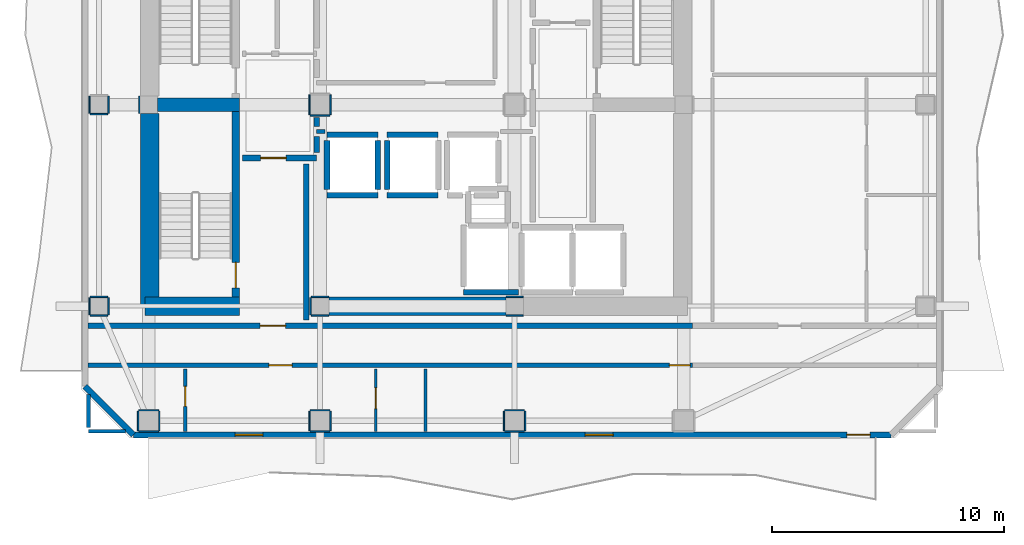
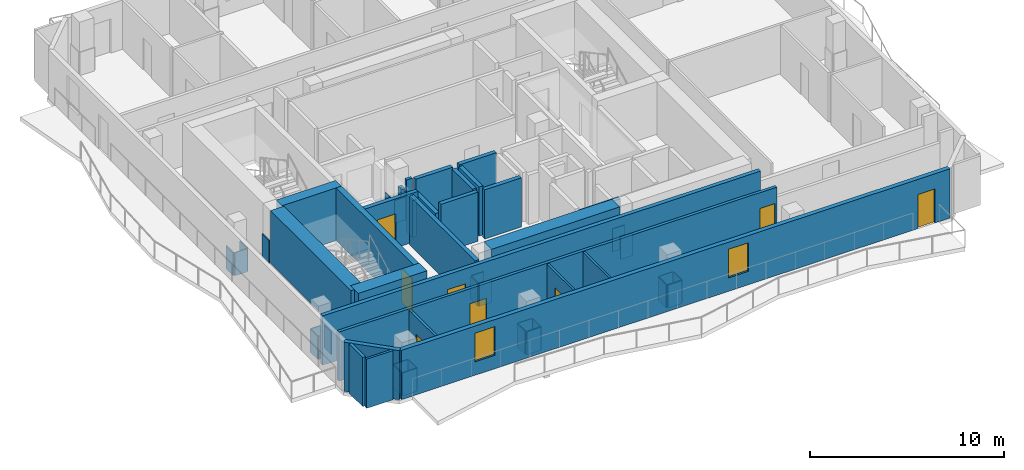
# One storey, part 2 of 9: 55 walls, 8 doors, 2 windows, 10 openings.
"""IFC4 building model written with IfcOpenShell, lengths in metres."""

from ifc_helpers import new_model, si_unit, direction, frame, frame_2d, origin, place, context, subcontext, project, spatial, rectangle, extrude, material, layer, layer_set, type_object, element, fill, save


model = new_model("IFC4")

# Units and contexts
model_context = context("Model", 3, precision=1e-05, world=origin(), true_north=direction((0.0, 1.0)))
body_context = subcontext(model_context, "Body", "Model", "MODEL_VIEW")
ifc_project = project(units=[si_unit("LENGTHUNIT", "METRE"), si_unit("AREAUNIT", "SQUARE_METRE"), si_unit("VOLUMEUNIT", "CUBIC_METRE"), si_unit("PLANEANGLEUNIT", "RADIAN"), si_unit("MASSUNIT", "GRAM", prefix="KILO")], contexts=[model_context])

# Site, building, storey
site_placement = place(None, origin())
site = spatial("IfcSite", under=ifc_project, at=site_placement, CompositionType="ELEMENT")
building_placement = place(site_placement, origin())
building = spatial("IfcBuilding", under=site, at=building_placement, Name="Solanera Arch Residences", CompositionType="ELEMENT")
storey_placement = place(building_placement, frame((0.0, 0.0, 244.56005859375)))
storey = spatial("IfcBuildingStorey", under=building, at=storey_placement, Name="L71", CompositionType="ELEMENT", Elevation=244.56005859375)

# Walls
ifc_material_1 = material(Name="Fire-Rated Gypsum Stud Partition", Category="gypsum")
ifc_layer_1 = layer(ifc_material_1, 0.06005859375)
ifc_layer_set_1 = layer_set([ifc_layer_1], Name="Fire-Rated Gypsum Stud Partition")
wall_type_1 = type_object("IfcWallType", Name="Column Acoustic Furring Wall 60", PredefinedType="PARTITIONING", material=ifc_layer_set_1)
for number, where, z_axis, x_axis, name in (
    (1, (20.425048828125, 21.593017578125, 0.0), (0.0, 0.0, 1.0), (1.0, 0.0, 0.0), "L71 Column Furring 1S"),
    (2, (20.425048828125, 22.406982421875, 0.0), (0.0, 0.0, 1.0), (1.0, 0.0, 0.0), "L71 Column Furring 1N"),
):
    element("IfcWall", number, at=place(storey_placement, frame(where, z_axis=z_axis, x_axis=x_axis)), inside=storey, type_object=wall_type_1, Name=name, PredefinedType="PARTITIONING", context=body_context, shape_type="SweptSolid", body=[
        extrude(rectangle(XDim=0.741943359375, YDim=0.06005859375, at=frame_2d((0.37109375, 0.0))), origin(), (0.0, 0.0, 1.0), 1.449951171875),
    ])
wall_1_placement = place(storey_placement, frame((20.39306640625, 21.625, 0.0), z_axis=(0.0, 0.0, 1.0), x_axis=(0.0, 1.0, 0.0)))
element("IfcWall", 3, at=wall_1_placement, inside=storey, type_object=wall_type_1, Name="L71 Column Furring 1W", PredefinedType="PARTITIONING", context=body_context, shape_type="SweptSolid", body=[
    extrude(rectangle(XDim=0.75, YDim=0.06005859375, at=frame_2d((0.375, 0.0))), origin(), (0.0, 0.0, 1.0), 1.449951171875),
])
for number, where, z_axis, x_axis, name in (
    (4, (28.8330078125, 21.593017578125, 0.0), (0.0, 0.0, 1.0), (1.0, 0.0, 0.0), "L71 Column Furring 2S"),
    (5, (28.8330078125, 22.406982421875, 0.0), (0.0, 0.0, 1.0), (1.0, 0.0, 0.0), "L71 Column Furring 2N"),
):
    element("IfcWall", number, at=place(storey_placement, frame(where, z_axis=z_axis, x_axis=x_axis)), inside=storey, type_object=wall_type_1, Name=name, PredefinedType="PARTITIONING", context=body_context, shape_type="SweptSolid", body=[
        extrude(rectangle(XDim=0.73388671875, YDim=0.06005859375, at=frame_2d((0.366943359375, 0.0))), origin(), (0.0, 0.0, 1.0), 1.449951171875),
    ])
wall_2_placement = place(storey_placement, frame((12.992919921875, 30.324951171875, 0.0), z_axis=(0.0, 0.0, 1.0), x_axis=(0.0, 1.0, 0.0)))
element("IfcWall", 6, at=wall_2_placement, inside=storey, type_object=wall_type_1, Name="L71 Column Furring 5W", PredefinedType="PARTITIONING", context=body_context, shape_type="SweptSolid", body=[
    extrude(rectangle(XDim=0.75, YDim=0.06005859375, at=frame_2d((0.375, 0.0))), origin(), (0.0, 0.0, 1.0), 1.449951171875),
])
for number, where, z_axis, x_axis, name in (
    (7, (20.375, 30.242919921875, 0.0), (0.0, 0.0, 1.0), (1.0, 0.0, 0.0), "L71 Column Furring 7S"),
    (8, (20.343017578125, 30.27490234375, 0.0), (0.0, 0.0, 1.0), (0.0, 1.0, 0.0), "L71 Column Furring 7W"),
    (9, (21.257080078125, 30.27490234375, 0.0), (0.0, 0.0, 1.0), (0.0, 1.0, 0.0), "L71 Column Furring 7E"),
):
    element("IfcWall", number, at=place(storey_placement, frame(where, z_axis=z_axis, x_axis=x_axis)), inside=storey, type_object=wall_type_1, Name=name, PredefinedType="PARTITIONING", context=body_context, shape_type="SweptSolid", body=[
        extrude(rectangle(XDim=0.85009765625, YDim=0.06005859375, at=frame_2d((0.425048828125, 0.0))), origin(), (0.0, 0.0, 1.0), 1.449951171875),
    ])
for number, where, z_axis, x_axis, name in (
    (10, (12.97509765625, 16.593017578125, 0.0), (0.0, 0.0, 1.0), (1.0, 0.0, 0.0), "L71 Column Furring 9S"),
    (11, (12.97509765625, 17.507080078125, 0.0), (0.0, 0.0, 1.0), (1.0, 0.0, 0.0), "L71 Column Furring 9N"),
):
    element("IfcWall", number, at=place(storey_placement, frame(where, z_axis=z_axis, x_axis=x_axis)), inside=storey, type_object=wall_type_1, Name=name, PredefinedType="PARTITIONING", context=body_context, shape_type="SweptSolid", body=[
        extrude(rectangle(XDim=0.849853515625, YDim=0.06005859375, at=frame_2d((0.4248046875, 0.0))), origin(), (0.0, 0.0, 1.0), 1.449951171875),
    ])
for number, where, z_axis, x_axis, name in (
    (12, (12.943115234375, 16.625, 0.0), (0.0, 0.0, 1.0), (0.0, 1.0, 0.0), "L71 Column Furring 9W"),
    (13, (13.85693359375, 16.625, 0.0), (0.0, 0.0, 1.0), (0.0, 1.0, 0.0), "L71 Column Furring 9E"),
    (14, (20.375, 16.593017578125, 0.0), (0.0, 0.0, 1.0), (1.0, 0.0, 0.0), "L71 Column Furring 11S"),
    (15, (20.375, 17.507080078125, 0.0), (0.0, 0.0, 1.0), (1.0, 0.0, 0.0), "L71 Column Furring 11N"),
    (16, (20.343017578125, 16.625, 0.0), (0.0, 0.0, 1.0), (0.0, 1.0, 0.0), "L71 Column Furring 11W"),
    (17, (21.257080078125, 16.625, 0.0), (0.0, 0.0, 1.0), (0.0, 1.0, 0.0), "L71 Column Furring 11E"),
    (18, (28.77490234375, 16.593017578125, 0.0), (0.0, 0.0, 1.0), (1.0, 0.0, 0.0), "L71 Column Furring 13S"),
    (19, (28.77490234375, 17.507080078125, 0.0), (0.0, 0.0, 1.0), (1.0, 0.0, 0.0), "L71 Column Furring 13N"),
    (20, (28.742919921875, 16.625, 0.0), (0.0, 0.0, 1.0), (0.0, 1.0, 0.0), "L71 Column Furring 13W"),
    (21, (29.656982421875, 16.625, 0.0), (0.0, 0.0, 1.0), (0.0, 1.0, 0.0), "L71 Column Furring 13E"),
):
    element("IfcWall", number, at=place(storey_placement, frame(where, z_axis=z_axis, x_axis=x_axis)), inside=storey, type_object=wall_type_1, Name=name, PredefinedType="PARTITIONING", context=body_context, shape_type="SweptSolid", body=[
        extrude(rectangle(XDim=0.85009765625, YDim=0.06005859375, at=frame_2d((0.425048828125, 0.0))), origin(), (0.0, 0.0, 1.0), 1.449951171875),
    ])
for number, where, z_axis, x_axis, name in (
    (22, (10.875, 21.593017578125, 0.0), (0.0, 0.0, 1.0), (1.0, 0.0, 0.0), "L71 Column Furring 17S"),
    (23, (10.875, 22.406982421875, 0.0), (0.0, 0.0, 1.0), (1.0, 0.0, 0.0), "L71 Column Furring 17N"),
    (24, (10.843017578125, 21.625, 0.0), (0.0, 0.0, 1.0), (0.0, 1.0, 0.0), "L71 Column Furring 17W"),
    (25, (11.656982421875, 21.625, 0.0), (0.0, 0.0, 1.0), (0.0, 1.0, 0.0), "L71 Column Furring 17E"),
    (26, (10.875, 30.29296875, 0.0), (0.0, 0.0, 1.0), (1.0, 0.0, 0.0), "L71 Column Furring 19S"),
    (27, (10.843017578125, 30.324951171875, 0.0), (0.0, 0.0, 1.0), (0.0, 1.0, 0.0), "L71 Column Furring 19W"),
    (28, (11.656982421875, 30.324951171875, 0.0), (0.0, 0.0, 1.0), (0.0, 1.0, 0.0), "L71 Column Furring 19E"),
):
    element("IfcWall", number, at=place(storey_placement, frame(where, z_axis=z_axis, x_axis=x_axis)), inside=storey, type_object=wall_type_1, Name=name, PredefinedType="PARTITIONING", context=body_context, shape_type="SweptSolid", body=[
        extrude(rectangle(XDim=0.75, YDim=0.06005859375, at=frame_2d((0.375, 0.0))), origin(), (0.0, 0.0, 1.0), 1.449951171875),
    ])

# Wall, opening, door
ifc_material_2 = material(Name="Concrete C40/50 (f'c = 45 MPa)", Category="concrete")
ifc_layer_2 = layer(ifc_material_2, 0.320068359375)
ifc_layer_set_2 = layer_set([ifc_layer_2], Name="Concrete C40/50 (f'c = 45 MPa)")
wall_type_2 = type_object("IfcWallType", Name="Core Shear Wall CW-320", PredefinedType="SHEAR", material=ifc_layer_set_2)
wall_3_placement = place(storey_placement, frame((17.159912109375, 22.39990234375, 0.0), z_axis=(0.0, 0.0, 1.0), x_axis=(0.0, 1.0, 0.0)))
wall_3 = element("IfcWall", 29, at=wall_3_placement, inside=storey, type_object=wall_type_2, Name="L71 Stair ST-T3 East Shear Wall", PredefinedType="SHEAR", context=body_context, shape_type="SweptSolid", body=[
    extrude(rectangle(XDim=8.0, YDim=0.320068359375, at=frame_2d((4.0, 0.0))), origin(), (0.0, 0.0, 1.0), 3.31982421875),
])
opening_1_placement = place(wall_3_placement, frame((0.389892578125, 0.0, 0.0)))
opening_1 = element("IfcOpeningElement", 30, at=opening_1_placement, cuts=wall_3, Name="Opening DF-01", PredefinedType="OPENING", context=body_context, shape_type="SweptSolid", body=[
    extrude(rectangle(XDim=1.10009765625, YDim=2.14990234375, at=frame_2d((0.550048828125, 1.074951171875))), frame((0.0, 0.169921875, 0.0), z_axis=(0.0, -1.0, 0.0), x_axis=(1.0, 0.0, 0.0)), (0.0, 0.0, 1.0), 0.3401),
])
ifc_material_3 = material(Name="Fire-Rated Architectural Hardwood", Category="wood")
door_type_1 = type_object("IfcDoorType", Name="Stair Exit Fire Door DF-01", OperationType="NOTDEFINED", PredefinedType="DOOR", material=ifc_material_3)
door_1_placement = place(opening_1_placement, origin())
door_1 = element("IfcDoor", 31, at=door_1_placement, inside=storey, type_object=door_type_1, Name="DR-L71-STAIR-ST-T3", OperationType="SINGLE_SWING_LEFT", OverallHeight=2.14990234375, OverallWidth=1.10009765625, PredefinedType="DOOR", context=body_context, shape_type="SweptSolid", body=[
    extrude(rectangle(XDim=1.10009765625, YDim=2.14990234375, at=frame_2d((0.550048828125, 1.074951171875))), frame((0.0, 0.02490234375, 0.0), z_axis=(0.0, -1.0, 0.0), x_axis=(1.0, 0.0, 0.0)), (0.0, 0.0, 1.0), 0.050048828125),
])
fill(opening_1, door_1)

# Walls
ifc_material_4 = material(Name="Concrete C40/50 (f'c = 45 MPa)", Category="concrete")
ifc_layer_3 = layer(ifc_material_4, 0.60009765625)
ifc_layer_set_3 = layer_set([ifc_layer_3], Name="Concrete C40/50 (f'c = 45 MPa)")
wall_type_3 = type_object("IfcWallType", Name="Core Shear Wall CW-600", PredefinedType="SHEAR", material=ifc_layer_set_3)
wall_4_placement = place(storey_placement, frame((13.780029296875, 30.699951171875, 0.0), z_axis=(0.0, 0.0, 1.0), x_axis=(1.0, 0.0, 0.0)))
element("IfcWall", 32, at=wall_4_placement, inside=storey, type_object=wall_type_3, Name="L71 West Stair Divider Shear Wall", PredefinedType="SHEAR", context=body_context, shape_type="SweptSolid", body=[
    extrude(rectangle(XDim=3.5400390625, YDim=0.60009765625, at=frame_2d((1.77001953125, 0.0))), origin(), (0.0, 0.0, 1.0), 3.31982421875),
])
ifc_material_5 = material(Name="Concrete C40/50 (f'c = 45 MPa)", Category="concrete")
ifc_layer_4 = layer(ifc_material_5, 0.800048828125)
ifc_layer_set_4 = layer_set([ifc_layer_4], Name="Concrete C40/50 (f'c = 45 MPa)")
wall_type_4 = type_object("IfcWallType", Name="Core Shear Wall CW-800", PredefinedType="SHEAR", material=ifc_layer_set_4)
wall_5_placement = place(storey_placement, frame((13.43994140625, 22.0, 0.0), z_axis=(0.0, 0.0, 1.0), x_axis=(0.0, 1.0, 0.0)))
element("IfcWall", 33, at=wall_5_placement, inside=storey, type_object=wall_type_4, Name="L71 West Core South Shear Wall", PredefinedType="SHEAR", context=body_context, shape_type="SweptSolid", body=[
    extrude(rectangle(XDim=8.320068359375, YDim=0.800048828125, at=frame_2d((4.16015625, 0.0))), origin(), (0.0, 0.0, 1.0), 3.31982421875),
])
wall_6_placement = place(storey_placement, frame((13.239990234375, 22.0, 0.0), z_axis=(0.0, 0.0, 1.0), x_axis=(1.0, 0.0, 0.0)))
element("IfcWall", 34, at=wall_6_placement, inside=storey, type_object=wall_type_4, Name="L71 South-West Core Shear Wall", PredefinedType="SHEAR", context=body_context, shape_type="SweptSolid", body=[
    extrude(rectangle(XDim=4.080078125, YDim=0.800048828125, at=frame_2d((2.0400390625, 0.0))), origin(), (0.0, 0.0, 1.0), 3.31982421875),
])
wall_7_placement = place(storey_placement, frame((21.179931640625, 22.0, 0.0), z_axis=(0.0, 0.0, 1.0), x_axis=(1.0, 0.0, 0.0)))
element("IfcWall", 35, at=wall_7_placement, inside=storey, type_object=wall_type_4, Name="L71 Central South Core Shear Wall", PredefinedType="SHEAR", context=body_context, shape_type="SweptSolid", body=[
    extrude(rectangle(XDim=7.64013671875, YDim=0.800048828125, at=frame_2d((3.820068359375, 0.0))), origin(), (0.0, 0.0, 1.0), 3.31982421875),
])

# Wall, openings, doors
ifc_material_6 = material(Name="Autoclaved Aerated Concrete Blockwork", Category="masonry")
ifc_layer_5 = layer(ifc_material_6, 0.179931640625)
ifc_layer_set_5 = layer_set([ifc_layer_5], Name="Autoclaved Aerated Concrete Blockwork")
wall_type_5 = type_object("IfcWallType", Name="Corridor Fire Partition 180", PredefinedType="PARTITIONING", material=ifc_layer_set_5)
wall_8_placement = place(storey_placement, frame((10.787109375, 19.449951171875, 0.0), z_axis=(0.0, 0.0, 1.0), x_axis=(1.0, 0.0, 0.0)))
wall_8 = element("IfcWall", 36, at=wall_8_placement, inside=storey, type_object=wall_type_5, Name="L71 Interior Partition H7 1", PredefinedType="PARTITIONING", context=body_context, shape_type="SweptSolid", body=[
    extrude(rectangle(XDim=26.101806640625, YDim=0.179931640625, at=frame_2d((13.05078125, 0.0))), origin(), (0.0, 0.0, 1.0), 3.099853515625),
])
opening_2_placement = place(wall_8_placement, frame((7.806884765625, 0.0, 0.0)))
opening_2 = element("IfcOpeningElement", 37, at=opening_2_placement, cuts=wall_8, Name="Opening DI-01", PredefinedType="OPENING", context=body_context, shape_type="SweptSolid", body=[
    extrude(rectangle(XDim=1.0, YDim=2.14990234375, at=frame_2d((0.5, 1.074951171875))), frame((0.0, 0.10009765625, 0.0), z_axis=(0.0, -1.0, 0.0), x_axis=(1.0, 0.0, 0.0)), (0.0, 0.0, 1.0), 0.1999),
])
opening_3_placement = place(wall_8_placement, frame((25.092041015625, 0.0, 0.0)))
opening_3 = element("IfcOpeningElement", 38, at=opening_3_placement, cuts=wall_8, Name="Opening DI-02", PredefinedType="OPENING", context=body_context, shape_type="SweptSolid", body=[
    extrude(rectangle(XDim=0.89990234375, YDim=2.10009765625, at=frame_2d((0.449951171875, 1.050048828125))), frame((0.0, 0.10009765625, 0.0), z_axis=(0.0, -1.0, 0.0), x_axis=(1.0, 0.0, 0.0)), (0.0, 0.0, 1.0), 0.1999),
])
ifc_material_7 = material(Name="Fire-Rated Architectural Hardwood", Category="wood")
door_type_2 = type_object("IfcDoorType", Name="Suite Room Swing Door DI-02", OperationType="NOTDEFINED", PredefinedType="DOOR", material=ifc_material_7)
door_2_placement = place(opening_3_placement, origin())
door_2 = element("IfcDoor", 39, at=door_2_placement, inside=storey, type_object=door_type_2, Name="DR-L71-IN-017", OperationType="SINGLE_SWING_LEFT", OverallHeight=2.10009765625, OverallWidth=0.89990234375, PredefinedType="DOOR", context=body_context, shape_type="SweptSolid", body=[
    extrude(rectangle(XDim=0.89990234375, YDim=2.10009765625, at=frame_2d((0.449951171875, 1.050048828125))), frame((0.0, 0.02490234375, 0.0), z_axis=(0.0, -1.0, 0.0), x_axis=(1.0, 0.0, 0.0)), (0.0, 0.0, 1.0), 0.050048828125),
])
fill(opening_3, door_2)
ifc_material_8 = material(Name="Fire-Rated Architectural Hardwood", Category="wood")
door_type_3 = type_object("IfcDoorType", Name="Unit Entrance Fire Door DI-01", OperationType="NOTDEFINED", PredefinedType="DOOR", material=ifc_material_8)
door_3_placement = place(opening_2_placement, origin())
door_3 = element("IfcDoor", 40, at=door_3_placement, inside=storey, type_object=door_type_3, Name="DR-L71-IN-014", OperationType="SINGLE_SWING_RIGHT", OverallHeight=2.14990234375, OverallWidth=1.0, PredefinedType="DOOR", context=body_context, shape_type="SweptSolid", body=[
    extrude(rectangle(XDim=1.0, YDim=2.14990234375, at=frame_2d((0.5, 1.074951171875))), frame((0.0, 0.02490234375, 0.0), z_axis=(0.0, -1.0, 0.0), x_axis=(1.0, 0.0, 0.0)), (0.0, 0.0, 1.0), 0.050048828125),
])
fill(opening_2, door_3)

# Walls
wall_9_placement = place(storey_placement, frame((20.64990234375, 29.550048828125, 0.0), z_axis=(0.0, 0.0, 1.0), x_axis=(1.0, 0.0, 0.0)))
element("IfcWall", 41, at=wall_9_placement, inside=storey, type_object=wall_type_5, Name="L71 Interior Partition H8 1", PredefinedType="PARTITIONING", context=body_context, shape_type="SweptSolid", body=[
    extrude(rectangle(XDim=0.357177734375, YDim=0.179931640625, at=frame_2d((0.1787109375, 0.0))), origin(), (0.0, 0.0, 1.0), 3.099853515625),
])
wall_10_placement = place(storey_placement, frame((10.800048828125, 16.76806640625, 0.0), z_axis=(0.0, 0.0, 1.0), x_axis=(0.0, 1.0, 0.0)))
element("IfcWall", 42, at=wall_10_placement, inside=storey, type_object=wall_type_5, Name="L71 Interior Partition V8", PredefinedType="PARTITIONING", context=body_context, shape_type="SweptSolid", body=[
    extrude(rectangle(XDim=1.4208984375, YDim=0.179931640625, at=frame_2d((0.71044921875, 0.0))), origin(), (0.0, 0.0, 1.0), 3.099853515625),
])

# Wall, openings, door, windows
ifc_material_9 = material(Name="Precast Concrete C35/45", Category="concrete")
ifc_layer_6 = layer(ifc_material_9, 0.260009765625)
ifc_layer_set_6 = layer_set([ifc_layer_6], Name="Precast Concrete C35/45")
wall_type_6 = type_object("IfcWallType", Name="Exterior Wall Precast Masonry-Frame 260", PredefinedType="STANDARD", material=ifc_layer_set_6)
wall_11_placement = place(storey_placement, frame((45.455078125, 16.445068359375, 0.0), z_axis=(0.0, 0.0, 1.0), x_axis=(-1.0, 0.0, 0.0)))
wall_11 = element("IfcWall", 43, at=wall_11_placement, inside=storey, type_object=wall_type_6, Name="L71 Tower Exterior Precast Masonry-Frame Wall S", PredefinedType="STANDARD", context=body_context, shape_type="SweptSolid", body=[
    extrude(rectangle(XDim=32.7099609375, YDim=0.260009765625, at=frame_2d((16.35498046875, 0.0))), origin(), (0.0, 0.0, 1.0), 3.099853515625),
])
opening_4_placement = place(wall_11_placement, frame((0.906982421875, 0.0, 0.0)))
opening_4 = element("IfcOpeningElement", 44, at=opening_4_placement, cuts=wall_11, Name="Opening DB-01", PredefinedType="OPENING", context=body_context, shape_type="SweptSolid", body=[
    extrude(rectangle(XDim=1.0, YDim=2.14990234375, at=frame_2d((0.5, 1.074951171875))), frame((0.0, 0.139892578125, 0.0), z_axis=(0.0, -1.0, 0.0), x_axis=(1.0, 0.0, 0.0)), (0.0, 0.0, 1.0), 0.28),
])
opening_5_placement = place(wall_11_placement, frame((27.126953125, 0.0, 0.85009765625)))
opening_5 = element("IfcOpeningElement", 45, at=opening_5_placement, cuts=wall_11, Name="Opening W-01", PredefinedType="OPENING", context=body_context, shape_type="SweptSolid", body=[
    extrude(rectangle(XDim=1.199951171875, YDim=1.800048828125, at=frame_2d((0.60009765625, 0.89990234375))), frame((0.0, 0.139892578125, 0.0), z_axis=(0.0, -1.0, 0.0), x_axis=(1.0, 0.0, 0.0)), (0.0, 0.0, 1.0), 0.28),
])
opening_6_placement = place(wall_11_placement, frame((12.0048828125, 0.0, 0.85009765625)))
opening_6 = element("IfcOpeningElement", 46, at=opening_6_placement, cuts=wall_11, Name="Opening W-01", PredefinedType="OPENING", context=body_context, shape_type="SweptSolid", body=[
    extrude(rectangle(XDim=1.199951171875, YDim=1.800048828125, at=frame_2d((0.60009765625, 0.89990234375))), frame((0.0, 0.139892578125, 0.0), z_axis=(0.0, -1.0, 0.0), x_axis=(1.0, 0.0, 0.0)), (0.0, 0.0, 1.0), 0.28),
])
ifc_material_10 = material(Name="Anodised Aluminium Alloy 6063-T6", Category="aluminium")
door_type_4 = type_object("IfcDoorType", Name="Glazed Balcony Swing Door DB-01", OperationType="NOTDEFINED", PredefinedType="DOOR", material=ifc_material_10)
door_4_placement = place(opening_4_placement, origin())
door_4 = element("IfcDoor", 47, at=door_4_placement, inside=storey, type_object=door_type_4, Name="DR-L71-OUT-01", OperationType="SINGLE_SWING_LEFT", OverallHeight=2.14990234375, OverallWidth=1.0, PredefinedType="DOOR", context=body_context, shape_type="SweptSolid", body=[
    extrude(rectangle(XDim=1.0, YDim=2.14990234375, at=frame_2d((0.5, 1.074951171875))), frame((0.0, 0.02490234375, 0.0), z_axis=(0.0, -1.0, 0.0), x_axis=(1.0, 0.0, 0.0)), (0.0, 0.0, 1.0), 0.050048828125),
])
fill(opening_4, door_4)
ifc_material_11 = material(Name="Double Glazed Low-E Laminated Glass", Category="glass")
window_type = type_object("IfcWindowType", Name="Punched Window W-01", PartitioningType="SINGLE_PANEL", PredefinedType="WINDOW", material=ifc_material_11)
window_1_placement = place(opening_5_placement, origin())
window_1 = element("IfcWindow", 48, at=window_1_placement, inside=storey, type_object=window_type, Name="L71 7101-LIV Punched Window", OverallHeight=1.800048828125, OverallWidth=1.199951171875, PartitioningType="SINGLE_PANEL", PredefinedType="WINDOW", context=body_context, shape_type="SweptSolid", body=[
    extrude(rectangle(XDim=1.199951171875, YDim=1.800048828125, at=frame_2d((0.60009765625, 0.89990234375))), frame((0.0, 0.030029296875, 0.0), z_axis=(0.0, -1.0, 0.0), x_axis=(1.0, 0.0, 0.0)), (0.0, 0.0, 1.0), 0.06005859375),
])
fill(opening_5, window_1)
window_2_placement = place(opening_6_placement, origin())
window_2 = element("IfcWindow", 49, at=window_2_placement, inside=storey, type_object=window_type, Name="L71 AMN-LNG Punched Window", OverallHeight=1.800048828125, OverallWidth=1.199951171875, PartitioningType="SINGLE_PANEL", PredefinedType="WINDOW", context=body_context, shape_type="SweptSolid", body=[
    extrude(rectangle(XDim=1.199951171875, YDim=1.800048828125, at=frame_2d((0.60009765625, 0.89990234375))), frame((0.0, 0.030029296875, 0.0), z_axis=(0.0, -1.0, 0.0), x_axis=(1.0, 0.0, 0.0)), (0.0, 0.0, 1.0), 0.06005859375),
])
fill(opening_6, window_2)

# Walls
wall_12_placement = place(storey_placement, frame((12.7451171875, 16.445068359375, 0.0), z_axis=(0.0, 0.0, 1.0), x_axis=(-0.707147883682, 0.707065676302, 0.0)))
element("IfcWall", 50, at=wall_12_placement, inside=storey, type_object=wall_type_6, Name="L71 Tower Exterior Precast Masonry-Frame Wall CH7", PredefinedType="STANDARD", context=body_context, shape_type="SweptSolid", body=[
    extrude(rectangle(XDim=2.9697265625, YDim=0.260009765625, at=frame_2d((1.48486328125, 0.0))), origin(), (0.0, 0.0, 1.0), 3.099853515625),
])
ifc_material_12 = material(Name="Autoclaved Aerated Concrete Blockwork", Category="masonry")
ifc_layer_7 = layer(ifc_material_12, 0.239990234375)
ifc_layer_set_7 = layer_set([ifc_layer_7], Name="Autoclaved Aerated Concrete Blockwork")
wall_type_7 = type_object("IfcWallType", Name="Shaft Wall Fire-Rated 240", PredefinedType="PARTITIONING", material=ifc_layer_set_7)
for number, where, z_axis, x_axis, name in (
    (51, (21.10009765625, 26.800048828125, 0.0), (0.0, 0.0, 1.0), (1.0, 0.0, 0.0), "L71 Lift PL-H1 Hoistway Wall S"),
    (52, (21.10009765625, 29.39990234375, 0.0), (0.0, 0.0, 1.0), (1.0, 0.0, 0.0), "L71 Lift PL-H1 Hoistway Wall N"),
):
    element("IfcWall", number, at=place(storey_placement, frame(where, z_axis=z_axis, x_axis=x_axis)), inside=storey, type_object=wall_type_7, Name=name, PredefinedType="PARTITIONING", context=body_context, shape_type="SweptSolid", body=[
        extrude(rectangle(XDim=2.199951171875, YDim=0.239990234375, at=frame_2d((1.10009765625, 0.0))), origin(), (0.0, 0.0, 1.0), 3.099853515625),
    ])
wall_13_placement = place(storey_placement, frame((21.10009765625, 27.048095703125, 0.0), z_axis=(0.0, 0.0, 1.0), x_axis=(0.0, 1.0, 0.0)))
element("IfcWall", 53, at=wall_13_placement, inside=storey, type_object=wall_type_7, Name="L71 Lift PL-H1 Hoistway Wall W", PredefinedType="PARTITIONING", context=body_context, shape_type="SweptSolid", body=[
    extrude(rectangle(XDim=2.10400390625, YDim=0.239990234375, at=frame_2d((1.052001953125, 0.0))), origin(), (0.0, 0.0, 1.0), 2.3349609375),
])
wall_14_placement = place(storey_placement, frame((23.300048828125, 27.048095703125, 0.0), z_axis=(0.0, 0.0, 1.0), x_axis=(0.0, 1.0, 0.0)))
element("IfcWall", 54, at=wall_14_placement, inside=storey, type_object=wall_type_7, Name="L71 Lift PL-H1 Hoistway Wall E", PredefinedType="PARTITIONING", context=body_context, shape_type="SweptSolid", body=[
    extrude(rectangle(XDim=2.10400390625, YDim=0.239990234375, at=frame_2d((1.052001953125, 0.0))), origin(), (0.0, 0.0, 1.0), 3.099853515625),
])
for number, where, z_axis, x_axis, name in (
    (55, (23.699951171875, 26.800048828125, 0.0), (0.0, 0.0, 1.0), (1.0, 0.0, 0.0), "L71 Lift PL-H2 Hoistway Wall S"),
    (56, (23.699951171875, 29.39990234375, 0.0), (0.0, 0.0, 1.0), (1.0, 0.0, 0.0), "L71 Lift PL-H2 Hoistway Wall N"),
):
    element("IfcWall", number, at=place(storey_placement, frame(where, z_axis=z_axis, x_axis=x_axis)), inside=storey, type_object=wall_type_7, Name=name, PredefinedType="PARTITIONING", context=body_context, shape_type="SweptSolid", body=[
        extrude(rectangle(XDim=2.199951171875, YDim=0.239990234375, at=frame_2d((1.10009765625, 0.0))), origin(), (0.0, 0.0, 1.0), 3.099853515625),
    ])
wall_15_placement = place(storey_placement, frame((23.699951171875, 27.048095703125, 0.0), z_axis=(0.0, 0.0, 1.0), x_axis=(0.0, 1.0, 0.0)))
element("IfcWall", 57, at=wall_15_placement, inside=storey, type_object=wall_type_7, Name="L71 Lift PL-H2 Hoistway Wall W", PredefinedType="PARTITIONING", context=body_context, shape_type="SweptSolid", body=[
    extrude(rectangle(XDim=2.10400390625, YDim=0.239990234375, at=frame_2d((1.052001953125, 0.0))), origin(), (0.0, 0.0, 1.0), 3.099853515625),
])
wall_16_placement = place(storey_placement, frame((27.0, 22.60009765625, 0.0), z_axis=(0.0, 0.0, 1.0), x_axis=(1.0, 0.0, 0.0)))
element("IfcWall", 58, at=wall_16_placement, inside=storey, type_object=wall_type_7, Name="L71 Lift SVL-1 Hoistway Wall S", PredefinedType="PARTITIONING", context=body_context, shape_type="SweptSolid", body=[
    extrude(rectangle(XDim=2.3720703125, YDim=0.239990234375, at=frame_2d((1.18603515625, 0.0))), origin(), (0.0, 0.0, 1.0), 3.099853515625),
])

# Wall, opening, door
wall_17_placement = place(storey_placement, frame((10.787109375, 21.14990234375, 0.0), z_axis=(0.0, 0.0, 1.0), x_axis=(1.0, 0.0, 0.0)))
wall_17 = element("IfcWall", 59, at=wall_17_placement, inside=storey, type_object=wall_type_7, Name="L71 Interior Partition H1 1", PredefinedType="PARTITIONING", context=body_context, shape_type="SweptSolid", body=[
    extrude(rectangle(XDim=26.101806640625, YDim=0.239990234375, at=frame_2d((13.05078125, 0.0))), origin(), (0.0, 0.0, 1.0), 3.099853515625),
])
opening_7_placement = place(wall_17_placement, frame((7.423095703125, 0.0, 0.0)))
opening_7 = element("IfcOpeningElement", 60, at=opening_7_placement, cuts=wall_17, Name="Opening DF-02", PredefinedType="OPENING", context=body_context, shape_type="SweptSolid", body=[
    extrude(rectangle(XDim=1.10009765625, YDim=2.14990234375, at=frame_2d((0.550048828125, 1.074951171875))), frame((0.0, 0.1298828125, 0.0), z_axis=(0.0, -1.0, 0.0), x_axis=(1.0, 0.0, 0.0)), (0.0, 0.0, 1.0), 0.26),
])
ifc_material_13 = material(Name="Fire-Rated Architectural Hardwood", Category="wood")
door_type_5 = type_object("IfcDoorType", Name="Firefighting Lobby Fire Door DF-02", OperationType="NOTDEFINED", PredefinedType="DOOR", material=ifc_material_13)
door_5_placement = place(opening_7_placement, origin())
door_5 = element("IfcDoor", 61, at=door_5_placement, inside=storey, type_object=door_type_5, Name="DR-L71-IN-008", OperationType="SINGLE_SWING_RIGHT", OverallHeight=2.14990234375, OverallWidth=1.10009765625, PredefinedType="DOOR", context=body_context, shape_type="SweptSolid", body=[
    extrude(rectangle(XDim=1.10009765625, YDim=2.14990234375, at=frame_2d((0.550048828125, 1.074951171875))), frame((0.0, 0.02490234375, 0.0), z_axis=(0.0, -1.0, 0.0), x_axis=(1.0, 0.0, 0.0)), (0.0, 0.0, 1.0), 0.050048828125),
])
fill(opening_7, door_5)

wall_18_placement = place(storey_placement, frame((17.449951171875, 28.39990234375, 0.0), z_axis=(0.0, 0.0, 1.0), x_axis=(1.0, 0.0, 0.0)))
wall_18 = element("IfcWall", 62, at=wall_18_placement, inside=storey, type_object=wall_type_7, Name="L71 Interior Partition H3", PredefinedType="PARTITIONING", context=body_context, shape_type="SweptSolid", body=[
    extrude(rectangle(XDim=3.199951171875, YDim=0.239990234375, at=frame_2d((1.60009765625, 0.0))), origin(), (0.0, 0.0, 1.0), 3.099853515625),
])
opening_8_placement = place(wall_18_placement, frame((0.783935546875, 0.0, 0.0)))
opening_8 = element("IfcOpeningElement", 63, at=opening_8_placement, cuts=wall_18, Name="Opening DF-02", PredefinedType="OPENING", context=body_context, shape_type="SweptSolid", body=[
    extrude(rectangle(XDim=1.10009765625, YDim=2.14990234375, at=frame_2d((0.550048828125, 1.074951171875))), frame((0.0, 0.1298828125, 0.0), z_axis=(0.0, -1.0, 0.0), x_axis=(1.0, 0.0, 0.0)), (0.0, 0.0, 1.0), 0.26),
])
door_6_placement = place(opening_8_placement, origin())
door_6 = element("IfcDoor", 64, at=door_6_placement, inside=storey, type_object=door_type_5, Name="DR-L71-IN-004", OperationType="SINGLE_SWING_RIGHT", OverallHeight=2.14990234375, OverallWidth=1.10009765625, PredefinedType="DOOR", context=body_context, shape_type="SweptSolid", body=[
    extrude(rectangle(XDim=1.10009765625, YDim=2.14990234375, at=frame_2d((0.550048828125, 1.074951171875))), frame((0.0, 0.02490234375, 0.0), z_axis=(0.0, -1.0, 0.0), x_axis=(1.0, 0.0, 0.0)), (0.0, 0.0, 1.0), 0.050048828125),
])
fill(opening_8, door_6)

# Walls
wall_19_placement = place(storey_placement, frame((20.199951171875, 21.39794921875, 0.0), z_axis=(0.0, 0.0, 1.0), x_axis=(0.0, 1.0, 0.0)))
element("IfcWall", 65, at=wall_19_placement, inside=storey, type_object=wall_type_7, Name="L71 Interior Partition V2", PredefinedType="PARTITIONING", context=body_context, shape_type="SweptSolid", body=[
    extrude(rectangle(XDim=6.754150390625, YDim=0.239990234375, at=frame_2d((3.376953125, 0.0))), origin(), (0.0, 0.0, 1.0), 3.099853515625),
])
wall_20_placement = place(storey_placement, frame((20.64990234375, 28.64794921875, 0.0), z_axis=(0.0, 0.0, 1.0), x_axis=(0.0, 1.0, 0.0)))
element("IfcWall", 66, at=wall_20_placement, inside=storey, type_object=wall_type_7, Name="L71 Interior Partition V3 1", PredefinedType="PARTITIONING", context=body_context, shape_type="SweptSolid", body=[
    extrude(rectangle(XDim=0.68408203125, YDim=0.239990234375, at=frame_2d((0.342041015625, 0.0))), origin(), (0.0, 0.0, 1.0), 2.3349609375),
])
wall_21_placement = place(storey_placement, frame((20.64990234375, 29.76806640625, 0.0), z_axis=(0.0, 0.0, 1.0), x_axis=(0.0, 1.0, 0.0)))
element("IfcWall", 67, at=wall_21_placement, inside=storey, type_object=wall_type_7, Name="L71 Interior Partition V3 2", PredefinedType="PARTITIONING", context=body_context, shape_type="SweptSolid", body=[
    extrude(rectangle(XDim=0.375, YDim=0.239990234375, at=frame_2d((0.1875, 0.0))), origin(), (0.0, 0.0, 1.0), 2.3349609375),
])

# Wall, opening, door
ifc_material_14 = material(Name="Fire-Rated Gypsum Stud Partition", Category="gypsum")
ifc_layer_8 = layer(ifc_material_14, 0.1201171875)
ifc_layer_set_8 = layer_set([ifc_layer_8], Name="Fire-Rated Gypsum Stud Partition")
wall_type_8 = type_object("IfcWallType", Name="Unit Drywall Partition 120", PredefinedType="PARTITIONING", material=ifc_layer_set_8)
wall_22_placement = place(storey_placement, frame((23.208984375, 16.5869140625, 0.0), z_axis=(0.0, 0.0, 1.0), x_axis=(0.0, 1.0, 0.0)))
wall_22 = element("IfcWall", 68, at=wall_22_placement, inside=storey, type_object=wall_type_8, Name="L71 Interior Partition V20", PredefinedType="PARTITIONING", context=body_context, shape_type="SweptSolid", body=[
    extrude(rectangle(XDim=2.705078125, YDim=0.1201171875, at=frame_2d((1.3525390625, 0.0))), origin(), (0.0, 0.0, 1.0), 3.099853515625),
])
opening_9_placement = place(wall_22_placement, frame((0.988037109375, 0.0, 0.0)))
opening_9 = element("IfcOpeningElement", 69, at=opening_9_placement, cuts=wall_22, Name="Opening DI-02", PredefinedType="OPENING", context=body_context, shape_type="SweptSolid", body=[
    extrude(rectangle(XDim=0.89990234375, YDim=2.10009765625, at=frame_2d((0.449951171875, 1.050048828125))), frame((0.0, 0.070068359375, 0.0), z_axis=(0.0, -1.0, 0.0), x_axis=(1.0, 0.0, 0.0)), (0.0, 0.0, 1.0), 0.1401),
])
door_7_placement = place(opening_9_placement, origin())
door_7 = element("IfcDoor", 70, at=door_7_placement, inside=storey, type_object=door_type_2, Name="DR-L71-IN-016", OperationType="SINGLE_SWING_RIGHT", OverallHeight=2.10009765625, OverallWidth=0.89990234375, PredefinedType="DOOR", context=body_context, shape_type="SweptSolid", body=[
    extrude(rectangle(XDim=0.89990234375, YDim=2.10009765625, at=frame_2d((0.449951171875, 1.050048828125))), frame((0.0, 0.02490234375, 0.0), z_axis=(0.0, -1.0, 0.0), x_axis=(1.0, 0.0, 0.0)), (0.0, 0.0, 1.0), 0.050048828125),
])
fill(opening_9, door_7)

# Walls
wall_23_placement = place(storey_placement, frame((25.35888671875, 16.5869140625, 0.0), z_axis=(0.0, 0.0, 1.0), x_axis=(0.0, 1.0, 0.0)))
element("IfcWall", 71, at=wall_23_placement, inside=storey, type_object=wall_type_8, Name="L71 Interior Partition V21", PredefinedType="PARTITIONING", context=body_context, shape_type="SweptSolid", body=[
    extrude(rectangle(XDim=2.705078125, YDim=0.1201171875, at=frame_2d((1.3525390625, 0.0))), origin(), (0.0, 0.0, 1.0), 3.099853515625),
])
ifc_material_15 = material(Name="Autoclaved Aerated Concrete Blockwork", Category="masonry")
ifc_layer_9 = layer(ifc_material_15, 0.139892578125)
ifc_layer_set_9 = layer_set([ifc_layer_9], Name="Autoclaved Aerated Concrete Blockwork")
wall_type_9 = type_object("IfcWallType", Name="Wet-Room Partition 140", PredefinedType="PARTITIONING", material=ifc_layer_set_9)
wall_24_placement = place(storey_placement, frame((10.800048828125, 16.60009765625, 0.0), z_axis=(0.0, 0.0, 1.0), x_axis=(1.0, 0.0, 0.0)))
element("IfcWall", 72, at=wall_24_placement, inside=storey, type_object=wall_type_9, Name="L71 Interior Partition H13 1", PredefinedType="PARTITIONING", context=body_context, shape_type="SweptSolid", body=[
    extrude(rectangle(XDim=1.5888671875, YDim=0.139892578125, at=frame_2d((0.79443359375, 0.0))), origin(), (0.0, 0.0, 1.0), 3.099853515625),
])

# Wall, opening, door
wall_25_placement = place(storey_placement, frame((14.97998046875, 16.5869140625, 0.0), z_axis=(0.0, 0.0, 1.0), x_axis=(0.0, 1.0, 0.0)))
wall_25 = element("IfcWall", 73, at=wall_25_placement, inside=storey, type_object=wall_type_9, Name="L71 Interior Partition V12", PredefinedType="PARTITIONING", context=body_context, shape_type="SweptSolid", body=[
    extrude(rectangle(XDim=2.695068359375, YDim=0.139892578125, at=frame_2d((1.34765625, 0.0))), origin(), (0.0, 0.0, 1.0), 3.099853515625),
])
opening_10_placement = place(wall_25_placement, frame((1.087890625, 0.0, 0.0)))
opening_10 = element("IfcOpeningElement", 74, at=opening_10_placement, cuts=wall_25, Name="Opening DI-05", PredefinedType="OPENING", context=body_context, shape_type="SweptSolid", body=[
    extrude(rectangle(XDim=0.860107421875, YDim=2.02001953125, at=frame_2d((0.43017578125, 1.010009765625))), frame((0.0, 0.079833984375, 0.0), z_axis=(0.0, -1.0, 0.0), x_axis=(1.0, 0.0, 0.0)), (0.0, 0.0, 1.0), 0.1599),
])
ifc_material_16 = material(Name="Fire-Rated Architectural Hardwood", Category="wood")
door_type_6 = type_object("IfcDoorType", Name="Bathroom Swing Door DI-05", OperationType="NOTDEFINED", PredefinedType="DOOR", material=ifc_material_16)
door_8_placement = place(opening_10_placement, origin())
door_8 = element("IfcDoor", 75, at=door_8_placement, inside=storey, type_object=door_type_6, Name="DR-L71-IN-015", OperationType="SINGLE_SWING_LEFT", OverallHeight=2.02001953125, OverallWidth=0.860107421875, PredefinedType="DOOR", context=body_context, shape_type="SweptSolid", body=[
    extrude(rectangle(XDim=0.860107421875, YDim=2.02001953125, at=frame_2d((0.43017578125, 1.010009765625))), frame((0.0, 0.02490234375, 0.0), z_axis=(0.0, -1.0, 0.0), x_axis=(1.0, 0.0, 0.0)), (0.0, 0.0, 1.0), 0.050048828125),
])
fill(opening_10, door_8)

save(model, "model.ifc")
